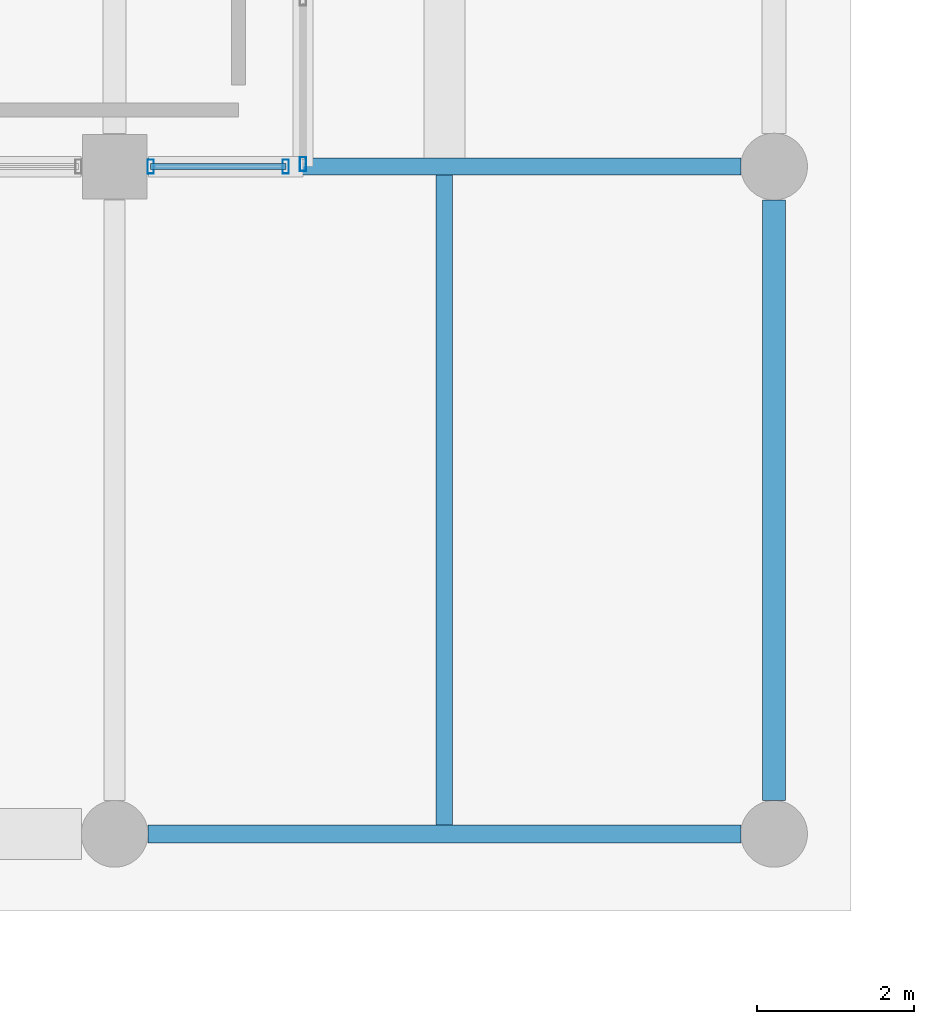
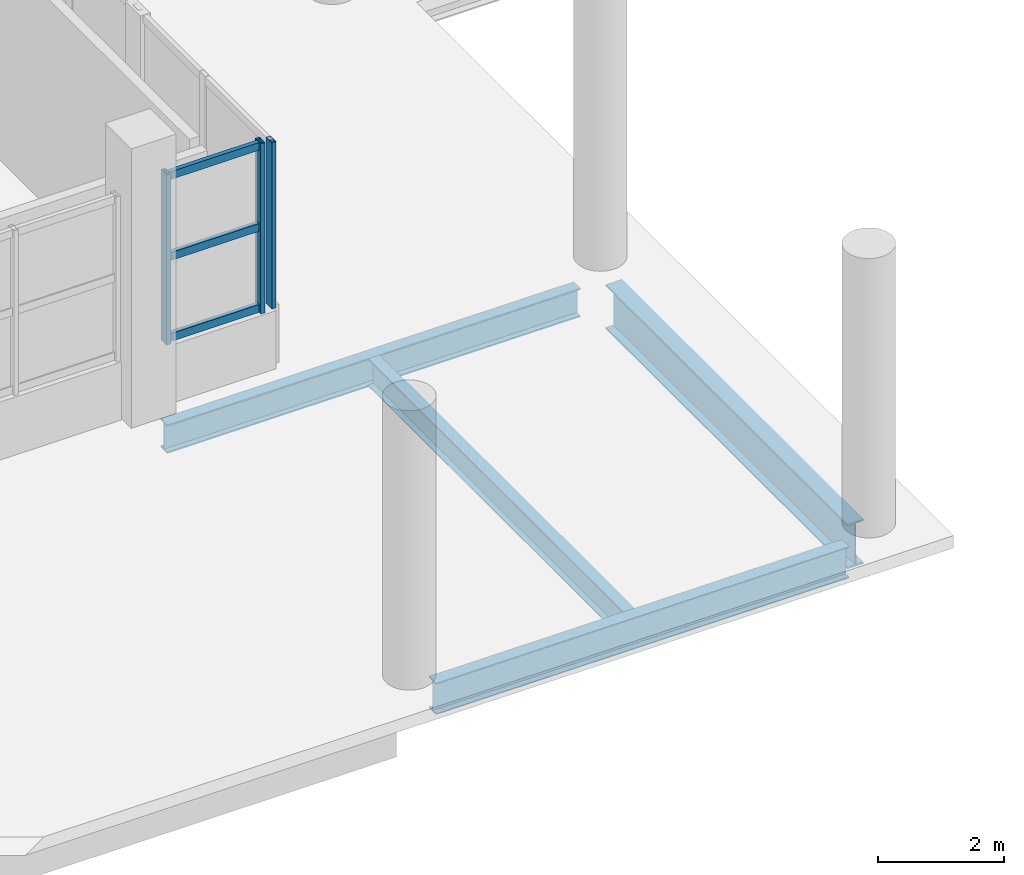
# One storey, part 21 of 107: 6 members, 4 beams, 2 elements without a shape of their own.
"""IFC4 building model written with IfcOpenShell, lengths in metres."""

from ifc_helpers import new_model, si_unit, direction, frame, origin, origin_2d, place, context, subcontext, project, spatial, hollow_rectangle, i_section, extrude, material, material_profile, profile_set, type_object, element, aggregate, save


model = new_model("IFC4")

# Units and contexts
model_context = context("Model", 3, precision=1e-05, world=origin(), true_north=direction((0.0, 1.0)))
body_context = subcontext(model_context, "Body", "Model", "MODEL_VIEW")
ifc_project = project(units=[si_unit("LENGTHUNIT", "METRE"), si_unit("AREAUNIT", "SQUARE_METRE"), si_unit("VOLUMEUNIT", "CUBIC_METRE"), si_unit("PLANEANGLEUNIT", "RADIAN"), si_unit("MASSUNIT", "GRAM", prefix="KILO")], contexts=[model_context])

# Site, building, storey
site_placement = place(None, origin())
site = spatial("IfcSite", under=ifc_project, at=site_placement, CompositionType="ELEMENT")
building_placement = place(site_placement, origin())
building = spatial("IfcBuilding", under=site, at=building_placement, Name="Solvento Point Concert Hall", CompositionType="ELEMENT")
storey_placement = place(building_placement, origin())
storey = spatial("IfcBuildingStorey", under=building, at=storey_placement, Name="L00", CompositionType="ELEMENT", Elevation=0.0)

# Beams
ifc_material_1 = material(Name="Structural Steel ASTM A992 Grade 50", Category="steel")
ifc_material_profile_1 = material_profile(ifc_material_1, i_section(OverallWidth=0.20947265625, OverallDepth=0.532958984375, WebThickness=0.01025390625, FlangeThickness=0.015625, at=origin_2d()), Name="W21X62")
ifc_profile_set_1 = profile_set([ifc_material_profile_1], Name="Structural Steel ASTM A992 Grade 50")
beam_type_1 = type_object("IfcBeamType", Name="Beam_W21X62", PredefinedType="BEAM", material=ifc_profile_set_1)
beam_1_placement = place(storey_placement, frame((19.800048828125, 102.09912109375, -0.680419921875), z_axis=(0.0, 1.0, 0.0), x_axis=(-1.0, 0.0, 0.0)))
element("IfcBeam", 1, at=beam_1_placement, inside=storey, type_object=beam_type_1, Name="Secondary floor joist B-25 L00", PredefinedType="BEAM", context=body_context, shape_type="SweptSolid", body=[
    extrude(i_section(OverallWidth=0.20947265625, OverallDepth=0.532958984375, WebThickness=0.01025390625, FlangeThickness=0.015625, at=origin_2d()), origin(), (0.0, 0.0, 1.0), 8.308837890625),
])
ifc_material_2 = material(Name="Structural Steel ASTM A992 Grade 50", Category="steel")
ifc_material_profile_2 = material_profile(ifc_material_2, i_section(OverallWidth=0.214111328125, OverallDepth=0.549072265625, WebThickness=0.0146484375, FlangeThickness=0.023681640625, at=origin_2d()), Name="W21X93")
ifc_profile_set_2 = profile_set([ifc_material_profile_2], Name="Structural Steel ASTM A992 Grade 50")
beam_type_2 = type_object("IfcBeamType", Name="Beam_W21X93", PredefinedType="BEAM", material=ifc_profile_set_2)
beam_2_placement = place(storey_placement, frame((16.02392578125, 110.5, -0.6884765625), z_axis=(1.0, 0.0, 0.0), x_axis=(0.0, 1.0, 0.0)))
element("IfcBeam", 2, at=beam_2_placement, inside=storey, type_object=beam_type_2, Name="Primary girder B-48 L00", PredefinedType="BEAM", context=body_context, shape_type="SweptSolid", body=[
    extrude(i_section(OverallWidth=0.214111328125, OverallDepth=0.549072265625, WebThickness=0.0146484375, FlangeThickness=0.023681640625, at=origin_2d()), origin(), (0.0, 0.0, 1.0), 7.552001953125),
])
ifc_material_3 = material(Name="Structural Steel ASTM A992 Grade 50", Category="steel")
ifc_material_profile_3 = material_profile(ifc_material_3, i_section(OverallWidth=0.228515625, OverallDepth=0.60791015625, WebThickness=0.01123046875, FlangeThickness=0.017333984375, at=origin_2d()), Name="W24X76")
ifc_profile_set_3 = profile_set([ifc_material_profile_3], Name="Structural Steel ASTM A992 Grade 50")
beam_type_3 = type_object("IfcBeamType", Name="Beam_W24X76", PredefinedType="BEAM", material=ifc_profile_set_3)
beam_3_placement = place(storey_placement, frame((16.02392578125, 102.0, -0.548095703125), z_axis=(1.0, 0.0, 0.0), x_axis=(0.0, 1.0, 0.0)))
element("IfcBeam", 3, at=beam_3_placement, inside=storey, type_object=beam_type_3, Name="Primary girder B-42 L00", PredefinedType="BEAM", context=body_context, shape_type="SweptSolid", body=[
    extrude(i_section(OverallWidth=0.228515625, OverallDepth=0.60791015625, WebThickness=0.01123046875, FlangeThickness=0.017333984375, at=origin_2d()), origin(), (0.0, 0.0, 1.0), 7.552001953125),
])
ifc_material_4 = material(Name="Structural Steel ASTM A992 Grade 50", Category="steel")
ifc_material_profile_4 = material_profile(ifc_material_4, i_section(OverallWidth=0.2919921875, OverallDepth=0.85888671875, WebThickness=0.01708984375, FlangeThickness=0.031005859375, at=origin_2d()), Name="W33X169")
ifc_profile_set_4 = profile_set([ifc_material_profile_4], Name="Structural Steel ASTM A992 Grade 50")
beam_type_4 = type_object("IfcBeamType", Name="Girder_W33X169", PredefinedType="USERDEFINED", material=ifc_profile_set_4)
beam_4_placement = place(storey_placement, frame((24.0, 102.424072265625, -0.673583984375), z_axis=(0.0, 1.0, 0.0), x_axis=(-1.0, 0.0, 0.0)))
element("IfcBeam", 4, at=beam_4_placement, inside=storey, type_object=beam_type_4, Name="Primary girder B-33 L00", ObjectType="GIRDER", PredefinedType="USERDEFINED", context=body_context, shape_type="SweptSolid", body=[
    extrude(i_section(OverallWidth=0.2919921875, OverallDepth=0.85888671875, WebThickness=0.01708984375, FlangeThickness=0.031005859375, at=origin_2d()), origin(), (0.0, 0.0, 1.0), 7.65185546875),
])

# Curtain wall, member
ifc_material_5 = material(Name="Anodized Bronze Aluminium", Category="aluminium")
curtain_wall_type = type_object("IfcCurtainWallType", Name="CurtainWall_CourtPilotis", PredefinedType="USERDEFINED", material=ifc_material_5)
curtain_wall_1_placement = place(storey_placement, origin())
curtain_wall_1 = element("IfcCurtainWall", 5, at=curtain_wall_1_placement, inside=storey, type_object=curtain_wall_type, Name="Unitised curtain wall CW-96 UCW-L00-064", ObjectType="UNITISED CURTAIN WALL", PredefinedType="USERDEFINED")
ifc_material_6 = material(Name="Anodized Bronze Aluminium", Category="aluminium")
ifc_material_profile_5 = material_profile(ifc_material_6, hollow_rectangle(XDim=0.080078125, YDim=0.179931640625, WallThickness=0.00390625, at=origin_2d()), Name="CW-MUL-80X180")
ifc_profile_set_5 = profile_set([ifc_material_profile_5], Name="Anodized Bronze Aluminium")
member_type_1 = type_object("IfcMemberType", Name="Mullion_80x180", PredefinedType="MULLION", material=ifc_profile_set_5)
member_1_placement = place(storey_placement, frame((18.0, 110.530029296875, 1.1201171875), z_axis=(0.0, 0.0, 1.0), x_axis=(1.0, 0.0, 0.0)))
member_1 = element("IfcMember", 6, at=member_1_placement, type_object=member_type_1, Name="Curtain wall mullion ML-01", PredefinedType="MULLION", context=body_context, shape_type="SweptSolid", body=[
    extrude(hollow_rectangle(XDim=0.080078125, YDim=0.179931640625, WallThickness=0.00390625, at=origin_2d()), origin(), (0.0, 0.0, 1.0), 3.2138671875),
])
aggregate(curtain_wall_1, [member_1])

# Curtain wall, members
curtain_wall_2_placement = place(storey_placement, origin())
curtain_wall_2 = element("IfcCurtainWall", 7, at=curtain_wall_2_placement, inside=storey, type_object=curtain_wall_type, Name="Unitised curtain wall CW-96 UCW-L00-069", ObjectType="UNITISED CURTAIN WALL", PredefinedType="USERDEFINED")
member_2_placement = place(storey_placement, frame((16.06005859375, 110.5, 1.1201171875), z_axis=(0.0, 0.0, 1.0), x_axis=(1.0, 0.0, 0.0)))
member_2 = element("IfcMember", 8, at=member_2_placement, type_object=member_type_1, Name="Curtain wall mullion ML-01", PredefinedType="MULLION", context=body_context, shape_type="SweptSolid", body=[
    extrude(hollow_rectangle(XDim=0.080078125, YDim=0.179931640625, WallThickness=0.00390625, at=origin_2d()), origin(), (0.0, 0.0, 1.0), 3.290771484375),
])
member_3_placement = place(storey_placement, frame((17.780029296875, 110.5, 1.1201171875), z_axis=(0.0, 0.0, 1.0), x_axis=(1.0, 0.0, 0.0)))
member_3 = element("IfcMember", 9, at=member_3_placement, type_object=member_type_1, Name="Curtain wall mullion ML-01", PredefinedType="MULLION", context=body_context, shape_type="SweptSolid", body=[
    extrude(hollow_rectangle(XDim=0.080078125, YDim=0.179931640625, WallThickness=0.00390625, at=origin_2d()), origin(), (0.0, 0.0, 1.0), 3.290771484375),
])
ifc_material_7 = material(Name="Anodized Bronze Aluminium", Category="aluminium")
ifc_material_profile_6 = material_profile(ifc_material_7, hollow_rectangle(XDim=0.080078125, YDim=0.14990234375, WallThickness=0.00390625, at=origin_2d()), Name="CW-TRN-80X150")
ifc_profile_set_6 = profile_set([ifc_material_profile_6], Name="Anodized Bronze Aluminium")
member_type_2 = type_object("IfcMemberType", Name="Transom_80x150", PredefinedType="USERDEFINED", material=ifc_profile_set_6)
member_4_placement = place(storey_placement, frame((16.06005859375, 110.5, 1.199951171875), z_axis=(1.0, 0.0, 0.0), x_axis=(0.0, 1.0, 0.0)))
member_4 = element("IfcMember", 10, at=member_4_placement, type_object=member_type_2, Name="Curtain wall transom TR-01", ObjectType="TRANSOM", PredefinedType="USERDEFINED", context=body_context, shape_type="SweptSolid", body=[
    extrude(hollow_rectangle(XDim=0.080078125, YDim=0.14990234375, WallThickness=0.00390625, at=origin_2d()), origin(), (0.0, 0.0, 1.0), 1.719970703125),
])
member_5_placement = place(storey_placement, frame((16.06005859375, 110.5, 2.765380859375), z_axis=(1.0, 0.0, 0.0), x_axis=(0.0, 1.0, 0.0)))
member_5 = element("IfcMember", 11, at=member_5_placement, type_object=member_type_2, Name="Curtain wall transom TR-01", ObjectType="TRANSOM", PredefinedType="USERDEFINED", context=body_context, shape_type="SweptSolid", body=[
    extrude(hollow_rectangle(XDim=0.080078125, YDim=0.14990234375, WallThickness=0.00390625, at=origin_2d()), origin(), (0.0, 0.0, 1.0), 1.719970703125),
])
member_6_placement = place(storey_placement, frame((16.06005859375, 110.5, 4.3310546875), z_axis=(1.0, 0.0, 0.0), x_axis=(0.0, 1.0, 0.0)))
member_6 = element("IfcMember", 12, at=member_6_placement, type_object=member_type_2, Name="Curtain wall transom TR-01", ObjectType="TRANSOM", PredefinedType="USERDEFINED", context=body_context, shape_type="SweptSolid", body=[
    extrude(hollow_rectangle(XDim=0.080078125, YDim=0.14990234375, WallThickness=0.00390625, at=origin_2d()), origin(), (0.0, 0.0, 1.0), 1.719970703125),
])
aggregate(curtain_wall_2, [member_2, member_3, member_4, member_5, member_6])

save(model, "model.ifc")
